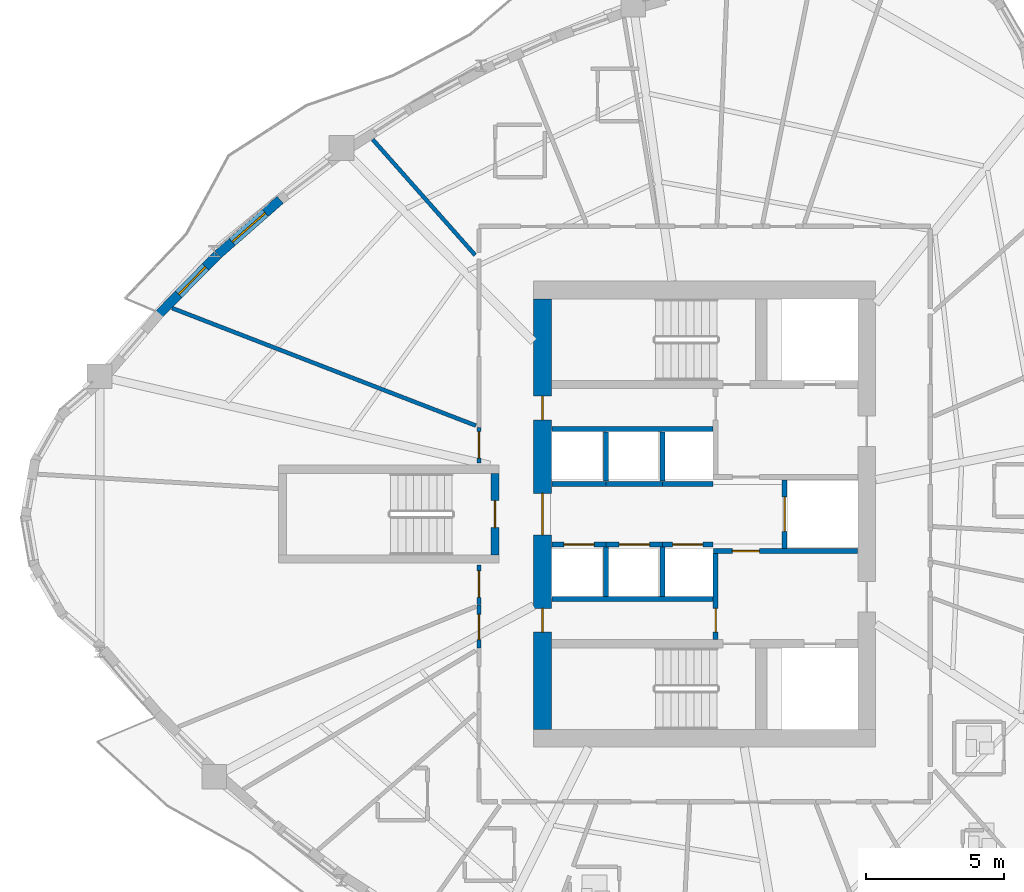
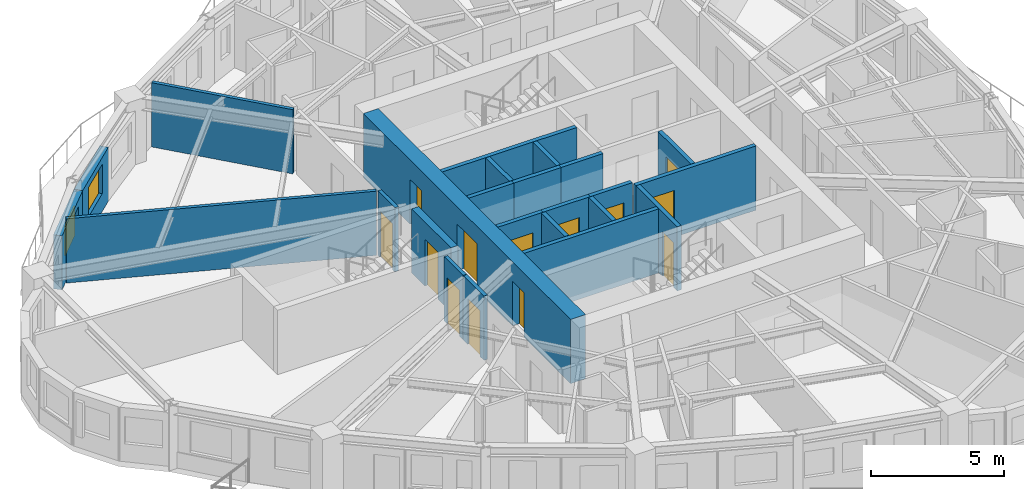
# One storey, part 5 of 13: 24 walls, 13 doors, 2 windows, 15 openings.
"""IFC4 building model written with IfcOpenShell, lengths in metres."""

import ifcopenshell
import ifcopenshell.guid

model = None  # the IFC model being written
_history = None  # IfcOwnerHistory: only IFC2X3 demands one
_inside = {}  # id of a spatial element -> (the spatial element, [elements in it])
_under = {}  # id of a project, library or spatial element -> (it, [spatial elements below it])
_declared = {}  # id of a project -> (the project, [libraries it declares])
_typed = {}  # id of a type object -> (the type object, [elements of that type])
_made_of = {}  # id of a material, layer set ... -> (it, [elements and type objects made of it])


def new_model(schema):
    """Start an empty IFC model of exactly this schema.

    Asked for "IFC4X3", IfcOpenShell would pick the latest addendum, in which some entities
    have other attributes; the version numbers below select the first issue.
    IFC2X3 requires an IfcOwnerHistory on every rooted entity: one is made here for all.
    """
    global model, _history
    if schema == "IFC4X3":
        model = ifcopenshell.file(schema_version=(4, 3, 0, 0))
    else:
        model = ifcopenshell.file(schema=schema)
    _inside.clear()
    _under.clear()
    _declared.clear()
    _typed.clear()
    _made_of.clear()
    _history = None
    if model.schema == "IFC2X3":
        org = make("IfcOrganization", Name="unknown")
        user = make(
            "IfcPersonAndOrganization",
            ThePerson=make("IfcPerson", FamilyName="unknown"),
            TheOrganization=org,
        )
        app = make(
            "IfcApplication",
            ApplicationDeveloper=org,
            Version="unknown",
            ApplicationFullName="unknown",
            ApplicationIdentifier="unknown",
        )
        _history = make(
            "IfcOwnerHistory",
            OwningUser=user,
            OwningApplication=app,
            ChangeAction="ADDED",
            CreationDate=0,
        )
    return model


def make(cls, **values):
    """One entity of the class cls with the attributes given. An attribute that is None is left unset."""
    return model.create_entity(
        cls, **{name: value for name, value in values.items() if value is not None}
    )


def rooted(cls, **values):
    """An entity with a GlobalId (a new one), such as an element, a storey or a relation."""
    return make(cls, GlobalId=ifcopenshell.guid.new(), OwnerHistory=_history, **values)


def si_unit(unit_type, name, prefix=None):
    """IfcSIUnit, for example si_unit("LENGTHUNIT", "METRE", prefix="MILLI")."""
    return make("IfcSIUnit", UnitType=unit_type, Prefix=prefix, Name=name)


def assignment(units):
    """IfcUnitAssignment: the units of a project."""
    return None if units is None else make("IfcUnitAssignment", Units=units)


def point(xyz):
    """IfcCartesianPoint."""
    return None if xyz is None else make("IfcCartesianPoint", Coordinates=xyz)


def direction(xyz):
    """IfcDirection."""
    return None if xyz is None else make("IfcDirection", DirectionRatios=xyz)


def frame(location, z_axis=None, x_axis=None):
    """IfcAxis2Placement3D, a coordinate frame: its origin and axes. An axis left out is left unset."""
    return make(
        "IfcAxis2Placement3D",
        Location=point(location),
        Axis=direction(z_axis),
        RefDirection=direction(x_axis),
    )


def frame_2d(location, x_axis=None):
    """IfcAxis2Placement2D, a coordinate frame in the plane: its origin and x axis."""
    return make(
        "IfcAxis2Placement2D", Location=point(location), RefDirection=direction(x_axis)
    )


def origin():
    """The frame at (0, 0, 0) with its axes left unset."""
    return frame((0.0, 0.0, 0.0))


def place(relative_to, where):
    """IfcLocalPlacement: puts the frame where relative to a parent placement (None: the world)."""
    return make(
        "IfcLocalPlacement", PlacementRelTo=relative_to, RelativePlacement=where
    )


def context(
    kind, dimensions, precision=None, world=None, true_north=None, identifier=None
):
    """IfcGeometricRepresentationContext, for example the 3D "Model" context."""
    return make(
        "IfcGeometricRepresentationContext",
        ContextIdentifier=identifier,
        ContextType=kind,
        CoordinateSpaceDimension=dimensions,
        Precision=precision,
        WorldCoordinateSystem=world,
        TrueNorth=true_north,
    )


def subcontext(parent, identifier, kind, view, scale=None):
    """IfcGeometricRepresentationSubContext, for example "Body" below "Model"."""
    return make(
        "IfcGeometricRepresentationSubContext",
        ContextIdentifier=identifier,
        ContextType=kind,
        ParentContext=parent,
        TargetScale=scale,
        TargetView=view,
    )


def project(units=None, contexts=None):
    """IfcProject with its units and contexts."""
    return rooted(
        "IfcProject",
        Name="project",
        RepresentationContexts=contexts,
        UnitsInContext=assignment(units),
    )


def spatial(cls, under=None, at=None, **own):
    """A site, building, storey or space (cls), placed at a placement, below another one or the project."""
    s = rooted(cls, ObjectPlacement=at, **own)
    if under is not None:
        _under.setdefault(under.id(), (under, []))[1].append(s)
    return s


def profile(cls, at=None, kind="AREA", **sizes):
    """A parametric profile (cls). Its sizes go by their IFC names, for example OverallWidth=200.0."""
    return make(cls, ProfileType=kind, Position=at, **sizes)


def rectangle(**sizes):
    """IfcRectangleProfileDef."""
    return profile("IfcRectangleProfileDef", **sizes)


def extrude(swept, where, along, depth):
    """IfcExtrudedAreaSolid: the profile swept, set in the frame where, extruded along a direction by depth."""
    return make(
        "IfcExtrudedAreaSolid",
        SweptArea=swept,
        Position=where,
        ExtrudedDirection=direction(along),
        Depth=depth,
    )


def shape(context_of_items, identifier, shape_type, items):
    """IfcShapeRepresentation: the items that make up one representation, for example the "Body"."""
    return make(
        "IfcShapeRepresentation",
        ContextOfItems=context_of_items,
        RepresentationIdentifier=identifier,
        RepresentationType=shape_type,
        Items=items,
    )


def source(mapping_origin, context_of_items, identifier, shape_type, items):
    """IfcRepresentationMap: a shape defined once, which mapped items show again and again."""
    return make(
        "IfcRepresentationMap",
        MappingOrigin=mapping_origin,
        MappedRepresentation=shape(context_of_items, identifier, shape_type, items),
    )


def transform(
    local_origin,
    x_axis=None,
    y_axis=None,
    z_axis=None,
    scale=None,
    scale2=None,
    scale3=None,
    uniform=True,
):
    """IfcCartesianTransformationOperator3D, or its non-uniform kind. x_axis, y_axis, z_axis: its Axis1, 2, 3."""
    if uniform:
        return make(
            "IfcCartesianTransformationOperator3D",
            Axis1=direction(x_axis),
            Axis2=direction(y_axis),
            LocalOrigin=point(local_origin),
            Scale=scale,
            Axis3=direction(z_axis),
        )
    return make(
        "IfcCartesianTransformationOperator3DnonUniform",
        Axis1=direction(x_axis),
        Axis2=direction(y_axis),
        LocalOrigin=point(local_origin),
        Scale=scale,
        Axis3=direction(z_axis),
        Scale2=scale2,
        Scale3=scale3,
    )


def mapped(mapping_source, mapping_target):
    """IfcMappedItem: shows the shape of a source again, moved by a transform."""
    return make(
        "IfcMappedItem", MappingSource=mapping_source, MappingTarget=mapping_target
    )


def material(Name=None, Category=None):
    """IfcMaterial."""
    return make("IfcMaterial", Name=Name, Category=Category)


def layer(
    of_material, thickness, ventilated=None, Name=None, Category=None, Priority=None
):
    """IfcMaterialLayer: one layer of a wall or slab, of a material (None: an air gap)."""
    return make(
        "IfcMaterialLayer",
        Material=of_material,
        LayerThickness=thickness,
        IsVentilated=ventilated,
        Name=Name,
        Category=Category,
        Priority=Priority,
    )


def layer_set(layers, Name=None):
    """IfcMaterialLayerSet."""
    return make("IfcMaterialLayerSet", MaterialLayers=layers, LayerSetName=Name)


def made_of(thing, what):
    """Note that an element or type object is made of a material, layer set ...; save() writes the relation."""
    if what is not None:
        _made_of.setdefault(what.id(), (what, []))[1].append(thing)
    return thing


def type_object(cls, material=None, **own):
    """A type object (cls), such as IfcWallType, which elements share."""
    return made_of(rooted(cls, **own), material)


def element(
    cls,
    number,
    at=None,
    inside=None,
    cuts=None,
    type_object=None,
    material=None,
    context=None,
    identifier="Body",
    shape_type=None,
    held_by="IfcProductDefinitionShape",
    body=None,
    shapes=None,
    **own,
):
    """One element of the class cls, such as IfcWall. Its Tag is "e" and its number.

    at: its placement. inside: the storey or other place that contains it. cuts: it is an
    opening in that element (IfcRelVoidsElement). A single representation is given by context,
    identifier, shape_type and body (its items); several are given by shapes. held_by: the class
    of the entity that holds the representations. save() writes the other relations.
    """
    e = rooted(cls, Tag="e%d" % number, ObjectPlacement=at, **own)
    if body is not None:
        shapes = [shape(context, identifier, shape_type, body)]
    if shapes is not None:
        e.Representation = make(held_by, Representations=shapes)
    if inside is not None:
        _inside.setdefault(inside.id(), (inside, []))[1].append(e)
    if cuts is not None:
        rooted(
            "IfcRelVoidsElement", RelatingBuildingElement=cuts, RelatedOpeningElement=e
        )
    if type_object is not None:
        _typed.setdefault(type_object.id(), (type_object, []))[1].append(e)
    return made_of(e, material)


def fill(opening, filler):
    """IfcRelFillsElement: the door or window that sits in an opening."""
    return rooted(
        "IfcRelFillsElement",
        RelatingOpeningElement=opening,
        RelatedBuildingElement=filler,
    )


def aggregate(whole, parts):
    """IfcRelAggregates: a whole, such as a stair, and the parts it consists of."""
    return rooted("IfcRelAggregates", RelatingObject=whole, RelatedObjects=parts)


def save(model, path):
    """Write the relations noted so far, then the file.

    IfcRelAggregates (storeys below a building ...), IfcRelContainedInSpatialStructure (elements
    in a storey), IfcRelDefinesByType, IfcRelAssociatesMaterial and IfcRelDeclares: one each for
    every whole, place, type object, material and project.
    """
    for whole, parts in _under.values():
        aggregate(whole, parts)
    for where, things in _inside.values():
        rooted(
            "IfcRelContainedInSpatialStructure",
            RelatedElements=things,
            RelatingStructure=where,
        )
    for kind, things in _typed.values():
        rooted("IfcRelDefinesByType", RelatedObjects=things, RelatingType=kind)
    for what, things in _made_of.values():
        rooted("IfcRelAssociatesMaterial", RelatedObjects=things, RelatingMaterial=what)
    for by, libraries in _declared.values():
        rooted("IfcRelDeclares", RelatingContext=by, RelatedDefinitions=libraries)
    model.write(path)


model = new_model("IFC4")

# Units and contexts
model_context = context("Model", 3, precision=1e-05, world=origin(), true_north=direction((0.0, 1.0)))
body_context = subcontext(model_context, "Body", "Model", "MODEL_VIEW")
ifc_project = project(units=[si_unit("LENGTHUNIT", "METRE"), si_unit("AREAUNIT", "SQUARE_METRE"), si_unit("VOLUMEUNIT", "CUBIC_METRE"), si_unit("PLANEANGLEUNIT", "RADIAN"), si_unit("MASSUNIT", "GRAM", prefix="KILO")], contexts=[model_context])

# Site, building, storey
site_placement = place(None, origin())
site = spatial("IfcSite", under=ifc_project, at=site_placement, CompositionType="ELEMENT")
building_placement = place(site_placement, origin())
building = spatial("IfcBuilding", under=site, at=building_placement, Name="Qafzar Sky-Pleat Residences", CompositionType="ELEMENT")
storey_placement = place(building_placement, frame((0.0, 0.0, 102.39990234375)))
storey = spatial("IfcBuildingStorey", under=building, at=storey_placement, Name="L30", CompositionType="ELEMENT", Elevation=102.39990234375)

# Wall, opening, door
ifc_material_1 = material(Name="Acoustic gypsum plasterboard partition", Category="gypsum")
ifc_layer_1 = layer(ifc_material_1, 0.159912109375)
ifc_layer_set_1 = layer_set([ifc_layer_1], Name="Acoustic gypsum plasterboard partition")
wall_type_1 = type_object("IfcWallType", Name="PART-COR-160", PredefinedType="PARTITIONING", material=ifc_layer_set_1)
wall_1_placement = place(storey_placement, frame((22.169921875, 21.156005859375, 0.0), z_axis=(0.0, 0.0, 1.0), x_axis=(0.0, 1.0, 0.0)))
wall_1 = element("IfcWall", 1, at=wall_1_placement, inside=storey, type_object=wall_type_1, Name="L30 Partition Wall PART-L30-PW-025", PredefinedType="PARTITIONING", context=body_context, shape_type="SweptSolid", body=[
    extrude(rectangle(XDim=1.554931640625, YDim=0.159912109375, at=frame_2d((0.77734375, 0.0))), origin(), (0.0, 0.0, 1.0), 2.9501953125),
])
opening_1_placement = place(wall_1_placement, frame((0.29345703125, 0.0, 0.0)))
opening_1 = element("IfcOpeningElement", 2, at=opening_1_placement, cuts=wall_1, Name="Opening ID-04", PredefinedType="OPENING", context=body_context, shape_type="SweptSolid", body=[
    extrude(rectangle(XDim=0.919921875, YDim=2.10009765625, at=frame_2d((0.4599609375, 1.050048828125))), frame((0.0, 0.08984375, 0.0), z_axis=(0.0, -1.0, 0.0), x_axis=(1.0, 0.0, 0.0)), (0.0, 0.0, 1.0), 0.179931640625),
])
ifc_material_2 = material(Name="Timber-faced fire door", Category="wood")
door_type_1 = type_object("IfcDoorType", Name="DR-BED-920", OperationType="NOTDEFINED", PredefinedType="DOOR", material=ifc_material_2)
shared_shape_1 = source(origin(), body_context, "Body", "SweptSolid", [
    extrude(rectangle(XDim=0.919921875, YDim=2.10009765625, at=frame_2d((0.4599609375, 1.050048828125))), frame((0.0, 0.02490234375, 0.0), z_axis=(0.0, -1.0, 0.0), x_axis=(1.0, 0.0, 0.0)), (0.0, 0.0, 1.0), 0.050048828125),
])
door_1_placement = place(opening_1_placement, origin())
door_1 = element("IfcDoor", 3, at=door_1_placement, inside=storey, type_object=door_type_1, Name="L30 Co-Living Bedroom 11 Door", OperationType="SINGLE_SWING_LEFT", OverallHeight=2.10009765625, OverallWidth=0.919921875, PredefinedType="DOOR", context=body_context, shape_type="MappedRepresentation", body=[
    mapped(shared_shape_1, transform((0.0, 0.0, 0.0), x_axis=(1.0, 0.0, 0.0), y_axis=(0.0, 1.0, 0.0), z_axis=(0.0, 0.0, 1.0), scale=1.0)),
])
fill(opening_1, door_1)

wall_2_placement = place(storey_placement, frame((22.169921875, 22.72607421875, 0.0), z_axis=(0.0, 0.0, 1.0), x_axis=(0.0, 1.0, 0.0)))
wall_2 = element("IfcWall", 4, at=wall_2_placement, inside=storey, type_object=wall_type_1, Name="L30 Partition Wall PART-L30-PW-026", PredefinedType="PARTITIONING", context=body_context, shape_type="SweptSolid", body=[
    extrude(rectangle(XDim=1.423828125, YDim=0.159912109375, at=frame_2d((0.7119140625, 0.0))), origin(), (0.0, 0.0, 1.0), 2.9501953125),
])
opening_2_placement = place(wall_2_placement, frame((0.25390625, 0.0, 0.0)))
opening_2 = element("IfcOpeningElement", 5, at=opening_2_placement, cuts=wall_2, Name="Opening ID-06", PredefinedType="OPENING", context=body_context, shape_type="SweptSolid", body=[
    extrude(rectangle(XDim=0.9599609375, YDim=2.10009765625, at=frame_2d((0.47998046875, 1.050048828125))), frame((0.0, 0.08984375, 0.0), z_axis=(0.0, -1.0, 0.0), x_axis=(1.0, 0.0, 0.0)), (0.0, 0.0, 1.0), 0.179931640625),
])
door_type_2 = type_object("IfcDoorType", Name="DR-STD-960", OperationType="NOTDEFINED", PredefinedType="DOOR", material=ifc_material_2)
shared_shape_2 = source(origin(), body_context, "Body", "SweptSolid", [
    extrude(rectangle(XDim=0.9599609375, YDim=2.10009765625, at=frame_2d((0.47998046875, 1.050048828125))), frame((0.0, 0.02490234375, 0.0), z_axis=(0.0, -1.0, 0.0), x_axis=(1.0, 0.0, 0.0)), (0.0, 0.0, 1.0), 0.050048828125),
])
door_2_placement = place(opening_2_placement, origin())
door_2 = element("IfcDoor", 6, at=door_2_placement, inside=storey, type_object=door_type_2, Name="L30 Reading Library Door", OperationType="SINGLE_SWING_RIGHT", OverallHeight=2.10009765625, OverallWidth=0.9599609375, PredefinedType="DOOR", context=body_context, shape_type="MappedRepresentation", body=[
    mapped(shared_shape_2, transform((0.0, 0.0, 0.0), x_axis=(1.0, 0.0, 0.0), y_axis=(0.0, 1.0, 0.0), z_axis=(0.0, 0.0, 1.0), scale=1.0)),
])
fill(opening_2, door_2)

wall_3_placement = place(storey_placement, frame((22.169921875, 27.85009765625, 0.0), z_axis=(0.0, 0.0, 1.0), x_axis=(0.0, 1.0, 0.0)))
wall_3 = element("IfcWall", 7, at=wall_3_placement, inside=storey, type_object=wall_type_1, Name="L30 Partition Wall PART-L30-PW-028", PredefinedType="PARTITIONING", context=body_context, shape_type="SweptSolid", body=[
    extrude(rectangle(XDim=1.282958984375, YDim=0.159912109375, at=frame_2d((0.6416015625, 0.0))), origin(), (0.0, 0.0, 1.0), 2.9501953125),
])
opening_3_placement = place(wall_3_placement, frame((0.177490234375, 0.0, 0.0)))
opening_3 = element("IfcOpeningElement", 8, at=opening_3_placement, cuts=wall_3, Name="Opening ID-06", PredefinedType="OPENING", context=body_context, shape_type="SweptSolid", body=[
    extrude(rectangle(XDim=0.9599609375, YDim=2.10009765625, at=frame_2d((0.47998046875, 1.050048828125))), frame((0.0, 0.08984375, 0.0), z_axis=(0.0, -1.0, 0.0), x_axis=(1.0, 0.0, 0.0)), (0.0, 0.0, 1.0), 0.179931640625),
])
door_3_placement = place(opening_3_placement, origin())
door_3 = element("IfcDoor", 9, at=door_3_placement, inside=storey, type_object=door_type_2, Name="L30 Common Dining Room Door", OperationType="SINGLE_SWING_RIGHT", OverallHeight=2.10009765625, OverallWidth=0.9599609375, PredefinedType="DOOR", context=body_context, shape_type="MappedRepresentation", body=[
    mapped(shared_shape_2, transform((0.0, 0.0, 0.0), x_axis=(1.0, 0.0, 0.0), y_axis=(0.0, 1.0, 0.0), z_axis=(0.0, 0.0, 1.0), scale=1.0)),
])
fill(opening_3, door_3)

ifc_material_3 = material(Name="Concrete blockwork partition", Category="masonry")
ifc_layer_2 = layer(ifc_material_3, 0.179931640625)
ifc_layer_set_2 = layer_set([ifc_layer_2], Name="Concrete blockwork partition")
wall_type_2 = type_object("IfcWallType", Name="PART-SHAFT-180", PredefinedType="PARTITIONING", material=ifc_layer_set_2)
wall_4_placement = place(storey_placement, frame((30.75, 21.4599609375, 0.0), z_axis=(0.0, 0.0, 1.0), x_axis=(0.0, 1.0, 0.0)))
wall_4 = element("IfcWall", 10, at=wall_4_placement, inside=storey, type_object=wall_type_2, Name="L30 Partition Wall PART-L30-FFL1-W", PredefinedType="PARTITIONING", context=body_context, shape_type="SweptSolid", body=[
    extrude(rectangle(XDim=3.110107421875, YDim=0.179931640625, at=frame_2d((1.55517578125, 0.0))), origin(), (0.0, 0.0, 1.0), 2.9501953125),
])
opening_4_placement = place(wall_4_placement, frame((0.260009765625, 0.0, 0.0)))
opening_4 = element("IfcOpeningElement", 11, at=opening_4_placement, cuts=wall_4, Name="Opening ID-09", PredefinedType="OPENING", context=body_context, shape_type="SweptSolid", body=[
    extrude(rectangle(XDim=0.860107421875, YDim=2.050048828125, at=frame_2d((0.43017578125, 1.02490234375))), frame((0.0, 0.10009765625, 0.0), z_axis=(0.0, -1.0, 0.0), x_axis=(1.0, 0.0, 0.0)), (0.0, 0.0, 1.0), 0.199951171875),
])
door_type_3 = type_object("IfcDoorType", Name="DR-SVC-860", OperationType="NOTDEFINED", PredefinedType="DOOR", material=ifc_material_2)
shared_shape_3 = source(origin(), body_context, "Body", "SweptSolid", [
    extrude(rectangle(XDim=0.860107421875, YDim=2.050048828125, at=frame_2d((0.43017578125, 1.02490234375))), frame((0.0, 0.02490234375, 0.0), z_axis=(0.0, -1.0, 0.0), x_axis=(1.0, 0.0, 0.0)), (0.0, 0.0, 1.0), 0.050048828125),
])
door_4_placement = place(opening_4_placement, origin())
door_4 = element("IfcDoor", 12, at=door_4_placement, inside=storey, type_object=door_type_3, Name="L30 South Core Cupboard Door", OperationType="SINGLE_SWING_LEFT", OverallHeight=2.050048828125, OverallWidth=0.860107421875, PredefinedType="DOOR", context=body_context, shape_type="MappedRepresentation", body=[
    mapped(shared_shape_3, transform((0.0, 0.0, 0.0), x_axis=(1.0, 0.0, 0.0), y_axis=(0.0, 1.0, 0.0), z_axis=(0.0, 0.0, 1.0), scale=1.0)),
])
fill(opening_4, door_4)

wall_5_placement = place(storey_placement, frame((30.669921875, 24.659912109375, 0.0), z_axis=(0.0, 0.0, 1.0), x_axis=(1.0, 0.0, 0.0)))
wall_5 = element("IfcWall", 13, at=wall_5_placement, inside=storey, type_object=wall_type_2, Name="L30 Partition Wall PART-L30-FFL1-N", PredefinedType="PARTITIONING", context=body_context, shape_type="SweptSolid", body=[
    extrude(rectangle(XDim=5.219970703125, YDim=0.179931640625, at=frame_2d((2.60986328125, 0.0))), origin(), (0.0, 0.0, 1.0), 2.9501953125),
])
opening_5_placement = place(wall_5_placement, frame((0.679931640625, 0.0, 0.0)))
opening_5 = element("IfcOpeningElement", 14, at=opening_5_placement, cuts=wall_5, Name="Opening ID-01", PredefinedType="OPENING", context=body_context, shape_type="SweptSolid", body=[
    extrude(rectangle(XDim=0.97998046875, YDim=2.14990234375, at=frame_2d((0.489990234375, 1.074951171875))), frame((0.0, 0.10009765625, 0.0), z_axis=(0.0, -1.0, 0.0), x_axis=(1.0, 0.0, 0.0)), (0.0, 0.0, 1.0), 0.199951171875),
])
door_type_4 = type_object("IfcDoorType", Name="DR-STAIR-980", OperationType="NOTDEFINED", PredefinedType="DOOR", material=ifc_material_2)
shared_shape_4 = source(origin(), body_context, "Body", "SweptSolid", [
    extrude(rectangle(XDim=0.97998046875, YDim=2.14990234375, at=frame_2d((0.489990234375, 1.074951171875))), frame((0.0, 0.02490234375, 0.0), z_axis=(0.0, -1.0, 0.0), x_axis=(1.0, 0.0, 0.0)), (0.0, 0.0, 1.0), 0.050048828125),
])
door_5_placement = place(opening_5_placement, origin())
door_5 = element("IfcDoor", 15, at=door_5_placement, inside=storey, type_object=door_type_4, Name="L30 Lift Lobby to South Firefighting Lobby Door", OperationType="SINGLE_SWING_RIGHT", OverallHeight=2.14990234375, OverallWidth=0.97998046875, PredefinedType="DOOR", context=body_context, shape_type="MappedRepresentation", body=[
    mapped(shared_shape_4, transform((0.0, 0.0, 0.0), x_axis=(1.0, 0.0, 0.0), y_axis=(0.0, 1.0, 0.0), z_axis=(0.0, 0.0, 1.0), scale=1.0)),
])
fill(opening_5, door_5)

wall_6_placement = place(storey_placement, frame((33.25, 24.760009765625, 0.0), z_axis=(0.0, 0.0, 1.0), x_axis=(0.0, 1.0, 0.0)))
wall_6 = element("IfcWall", 16, at=wall_6_placement, inside=storey, type_object=wall_type_2, Name="L30 Partition Wall PART-L30-SV1-W", PredefinedType="PARTITIONING", context=body_context, shape_type="SweptSolid", body=[
    extrude(rectangle(XDim=2.47998046875, YDim=0.179931640625, at=frame_2d((1.239990234375, 0.0))), origin(), (0.0, 0.0, 1.0), 2.9501953125),
])
opening_6_placement = place(wall_6_placement, frame((0.614990234375, 0.0, 0.0)))
opening_6 = element("IfcOpeningElement", 17, at=opening_6_placement, cuts=wall_6, Name="Opening LD-03", PredefinedType="OPENING", context=body_context, shape_type="SweptSolid", body=[
    extrude(rectangle(XDim=1.25, YDim=2.14990234375, at=frame_2d((0.625, 1.074951171875))), frame((0.0, 0.10009765625, 0.0), z_axis=(0.0, -1.0, 0.0), x_axis=(1.0, 0.0, 0.0)), (0.0, 0.0, 1.0), 0.199951171875),
])
ifc_material_4 = material(Name="Stainless steel sliding landing door", Category="steel")
door_type_5 = type_object("IfcDoorType", Name="DR-LIFT-SV", OperationType="DOUBLE_DOOR_SLIDING", PredefinedType="DOOR", material=ifc_material_4)
shared_shape_5 = source(origin(), body_context, "Body", "SweptSolid", [
    extrude(rectangle(XDim=1.25, YDim=2.14990234375, at=frame_2d((0.625, 1.074951171875))), frame((0.0, 0.02490234375, 0.0), z_axis=(0.0, -1.0, 0.0), x_axis=(1.0, 0.0, 0.0)), (0.0, 0.0, 1.0), 0.050048828125),
])
door_6_placement = place(opening_6_placement, origin())
door_6 = element("IfcDoor", 18, at=door_6_placement, inside=storey, type_object=door_type_5, Name="L30 Service Lift SV1 Landing Door", OperationType="DOUBLE_DOOR_SLIDING", OverallHeight=2.14990234375, OverallWidth=1.25, PredefinedType="DOOR", context=body_context, shape_type="MappedRepresentation", body=[
    mapped(shared_shape_5, transform((0.0, 0.0, 0.0), x_axis=(1.0, 0.0, 0.0), y_axis=(0.0, 1.0, 0.0), z_axis=(0.0, 0.0, 1.0), scale=1.0)),
])
fill(opening_6, door_6)

# Wall
wall_7_placement = place(storey_placement, frame((24.81005859375, 22.919921875, 0.0), z_axis=(0.0, 0.0, 1.0), x_axis=(1.0, 0.0, 0.0)))
element("IfcWall", 19, at=wall_7_placement, inside=storey, type_object=wall_type_2, Name="L30 Partition Wall PART-L30-P13-S", PredefinedType="PARTITIONING", context=body_context, shape_type="SweptSolid", body=[
    extrude(rectangle(XDim=5.83984375, YDim=0.179931640625, at=frame_2d((2.919921875, 0.0))), origin(), (0.0, 0.0, 1.0), 2.9501953125),
])

# Wall, opening, door
wall_8_placement = place(storey_placement, frame((24.81005859375, 24.89990234375, 0.0), z_axis=(0.0, 0.0, 1.0), x_axis=(1.0, 0.0, 0.0)))
wall_8 = element("IfcWall", 20, at=wall_8_placement, inside=storey, type_object=wall_type_2, Name="L30 Partition Wall PART-L30-P1-N", PredefinedType="PARTITIONING", context=body_context, shape_type="SweptSolid", body=[
    extrude(rectangle(XDim=1.96484375, YDim=0.179931640625, at=frame_2d((0.982421875, 0.0))), origin(), (0.0, 0.0, 1.0), 2.9501953125),
])
opening_7_placement = place(wall_8_placement, frame((0.4326171875, 0.0, 0.0)))
opening_7 = element("IfcOpeningElement", 21, at=opening_7_placement, cuts=wall_8, Name="Opening LD-01", PredefinedType="OPENING", context=body_context, shape_type="SweptSolid", body=[
    extrude(rectangle(XDim=1.10009765625, YDim=2.14990234375, at=frame_2d((0.550048828125, 1.074951171875))), frame((0.0, 0.10009765625, 0.0), z_axis=(0.0, -1.0, 0.0), x_axis=(1.0, 0.0, 0.0)), (0.0, 0.0, 1.0), 0.199951171875),
])
door_type_6 = type_object("IfcDoorType", Name="DR-LIFT-P", OperationType="DOUBLE_DOOR_SLIDING", PredefinedType="DOOR", material=ifc_material_4)
shared_shape_6 = source(origin(), body_context, "Body", "SweptSolid", [
    extrude(rectangle(XDim=1.10009765625, YDim=2.14990234375, at=frame_2d((0.550048828125, 1.074951171875))), frame((0.0, 0.02490234375, 0.0), z_axis=(0.0, -1.0, 0.0), x_axis=(1.0, 0.0, 0.0)), (0.0, 0.0, 1.0), 0.050048828125),
])
door_7_placement = place(opening_7_placement, origin())
door_7 = element("IfcDoor", 22, at=door_7_placement, inside=storey, type_object=door_type_6, Name="L30 Passenger Lift P1 Landing Door", OperationType="DOUBLE_DOOR_SLIDING", OverallHeight=2.14990234375, OverallWidth=1.10009765625, PredefinedType="DOOR", context=body_context, shape_type="MappedRepresentation", body=[
    mapped(shared_shape_6, transform((0.0, 0.0, 0.0), x_axis=(1.0, 0.0, 0.0), y_axis=(0.0, 1.0, 0.0), z_axis=(0.0, 0.0, 1.0), scale=1.0)),
])
fill(opening_7, door_7)

wall_9_placement = place(storey_placement, frame((26.77490234375, 24.89990234375, 0.0), z_axis=(0.0, 0.0, 1.0), x_axis=(1.0, 0.0, 0.0)))
wall_9 = element("IfcWall", 23, at=wall_9_placement, inside=storey, type_object=wall_type_2, Name="L30 Partition Wall PART-L30-P2-N", PredefinedType="PARTITIONING", context=body_context, shape_type="SweptSolid", body=[
    extrude(rectangle(XDim=2.050048828125, YDim=0.179931640625, at=frame_2d((1.02490234375, 0.0))), origin(), (0.0, 0.0, 1.0), 2.9501953125),
])
opening_8_placement = place(wall_9_placement, frame((0.47509765625, 0.0, 0.0)))
opening_8 = element("IfcOpeningElement", 24, at=opening_8_placement, cuts=wall_9, Name="Opening LD-01", PredefinedType="OPENING", context=body_context, shape_type="SweptSolid", body=[
    extrude(rectangle(XDim=1.10009765625, YDim=2.14990234375, at=frame_2d((0.550048828125, 1.074951171875))), frame((0.0, 0.10009765625, 0.0), z_axis=(0.0, -1.0, 0.0), x_axis=(1.0, 0.0, 0.0)), (0.0, 0.0, 1.0), 0.199951171875),
])
door_8_placement = place(opening_8_placement, origin())
door_8 = element("IfcDoor", 25, at=door_8_placement, inside=storey, type_object=door_type_6, Name="L30 Passenger Lift P2 Landing Door", OperationType="DOUBLE_DOOR_SLIDING", OverallHeight=2.14990234375, OverallWidth=1.10009765625, PredefinedType="DOOR", context=body_context, shape_type="MappedRepresentation", body=[
    mapped(shared_shape_6, transform((0.0, 0.0, 0.0), x_axis=(1.0, 0.0, 0.0), y_axis=(0.0, 1.0, 0.0), z_axis=(0.0, 0.0, 1.0), scale=1.0)),
])
fill(opening_8, door_8)

# Wall
wall_10_placement = place(storey_placement, frame((26.77490234375, 23.02001953125, 0.0), z_axis=(0.0, 0.0, 1.0), x_axis=(0.0, 1.0, 0.0)))
element("IfcWall", 26, at=wall_10_placement, inside=storey, type_object=wall_type_2, Name="L30 Partition Wall PART-L30-P13-DIV-1", PredefinedType="PARTITIONING", context=body_context, shape_type="SweptSolid", body=[
    extrude(rectangle(XDim=1.780029296875, YDim=0.179931640625, at=frame_2d((0.89013671875, 0.0))), origin(), (0.0, 0.0, 1.0), 2.9501953125),
])

# Wall, opening, door
wall_11_placement = place(storey_placement, frame((28.824951171875, 24.89990234375, 0.0), z_axis=(0.0, 0.0, 1.0), x_axis=(1.0, 0.0, 0.0)))
wall_11 = element("IfcWall", 27, at=wall_11_placement, inside=storey, type_object=wall_type_2, Name="L30 Partition Wall PART-L30-P3-N", PredefinedType="PARTITIONING", context=body_context, shape_type="SweptSolid", body=[
    extrude(rectangle(XDim=1.824951171875, YDim=0.179931640625, at=frame_2d((0.91259765625, 0.0))), origin(), (0.0, 0.0, 1.0), 2.9501953125),
])
opening_9_placement = place(wall_11_placement, frame((0.362548828125, 0.0, 0.0)))
opening_9 = element("IfcOpeningElement", 28, at=opening_9_placement, cuts=wall_11, Name="Opening LD-01", PredefinedType="OPENING", context=body_context, shape_type="SweptSolid", body=[
    extrude(rectangle(XDim=1.10009765625, YDim=2.14990234375, at=frame_2d((0.550048828125, 1.074951171875))), frame((0.0, 0.10009765625, 0.0), z_axis=(0.0, -1.0, 0.0), x_axis=(1.0, 0.0, 0.0)), (0.0, 0.0, 1.0), 0.199951171875),
])
door_9_placement = place(opening_9_placement, origin())
door_9 = element("IfcDoor", 29, at=door_9_placement, inside=storey, type_object=door_type_6, Name="L30 Passenger Lift P3 Landing Door", OperationType="DOUBLE_DOOR_SLIDING", OverallHeight=2.14990234375, OverallWidth=1.10009765625, PredefinedType="DOOR", context=body_context, shape_type="MappedRepresentation", body=[
    mapped(shared_shape_6, transform((0.0, 0.0, 0.0), x_axis=(1.0, 0.0, 0.0), y_axis=(0.0, 1.0, 0.0), z_axis=(0.0, 0.0, 1.0), scale=1.0)),
])
fill(opening_9, door_9)

# Walls
wall_12_placement = place(storey_placement, frame((28.824951171875, 23.02001953125, 0.0), z_axis=(0.0, 0.0, 1.0), x_axis=(0.0, 1.0, 0.0)))
element("IfcWall", 30, at=wall_12_placement, inside=storey, type_object=wall_type_2, Name="L30 Partition Wall PART-L30-P13-DIV-2", PredefinedType="PARTITIONING", context=body_context, shape_type="SweptSolid", body=[
    extrude(rectangle(XDim=1.780029296875, YDim=0.179931640625, at=frame_2d((0.89013671875, 0.0))), origin(), (0.0, 0.0, 1.0), 2.9501953125),
])
wall_13_placement = place(storey_placement, frame((24.81005859375, 29.080078125, 0.0), z_axis=(0.0, 0.0, 1.0), x_axis=(1.0, 0.0, 0.0)))
element("IfcWall", 31, at=wall_13_placement, inside=storey, type_object=wall_type_2, Name="L30 Partition Wall PART-L30-P46-N", PredefinedType="PARTITIONING", context=body_context, shape_type="SweptSolid", body=[
    extrude(rectangle(XDim=5.83984375, YDim=0.179931640625, at=frame_2d((2.919921875, 0.0))), origin(), (0.0, 0.0, 1.0), 2.9501953125),
])
wall_14_placement = place(storey_placement, frame((24.81005859375, 27.10009765625, 0.0), z_axis=(0.0, 0.0, 1.0), x_axis=(1.0, 0.0, 0.0)))
element("IfcWall", 32, at=wall_14_placement, inside=storey, type_object=wall_type_2, Name="L30 Partition Wall PART-L30-P4-S", PredefinedType="PARTITIONING", context=body_context, shape_type="SweptSolid", body=[
    extrude(rectangle(XDim=1.96484375, YDim=0.179931640625, at=frame_2d((0.982421875, 0.0))), origin(), (0.0, 0.0, 1.0), 2.9501953125),
])
wall_15_placement = place(storey_placement, frame((26.77490234375, 27.10009765625, 0.0), z_axis=(0.0, 0.0, 1.0), x_axis=(1.0, 0.0, 0.0)))
element("IfcWall", 33, at=wall_15_placement, inside=storey, type_object=wall_type_2, Name="L30 Partition Wall PART-L30-P5-S", PredefinedType="PARTITIONING", context=body_context, shape_type="SweptSolid", body=[
    extrude(rectangle(XDim=2.050048828125, YDim=0.179931640625, at=frame_2d((1.02490234375, 0.0))), origin(), (0.0, 0.0, 1.0), 2.9501953125),
])
wall_16_placement = place(storey_placement, frame((26.77490234375, 27.199951171875, 0.0), z_axis=(0.0, 0.0, 1.0), x_axis=(0.0, 1.0, 0.0)))
element("IfcWall", 34, at=wall_16_placement, inside=storey, type_object=wall_type_2, Name="L30 Partition Wall PART-L30-P46-DIV-1", PredefinedType="PARTITIONING", context=body_context, shape_type="SweptSolid", body=[
    extrude(rectangle(XDim=1.780029296875, YDim=0.179931640625, at=frame_2d((0.89013671875, 0.0))), origin(), (0.0, 0.0, 1.0), 2.9501953125),
])
wall_17_placement = place(storey_placement, frame((28.824951171875, 27.10009765625, 0.0), z_axis=(0.0, 0.0, 1.0), x_axis=(1.0, 0.0, 0.0)))
element("IfcWall", 35, at=wall_17_placement, inside=storey, type_object=wall_type_2, Name="L30 Partition Wall PART-L30-P6-S", PredefinedType="PARTITIONING", context=body_context, shape_type="SweptSolid", body=[
    extrude(rectangle(XDim=1.824951171875, YDim=0.179931640625, at=frame_2d((0.91259765625, 0.0))), origin(), (0.0, 0.0, 1.0), 2.9501953125),
])
wall_18_placement = place(storey_placement, frame((28.824951171875, 27.199951171875, 0.0), z_axis=(0.0, 0.0, 1.0), x_axis=(0.0, 1.0, 0.0)))
element("IfcWall", 36, at=wall_18_placement, inside=storey, type_object=wall_type_2, Name="L30 Partition Wall PART-L30-P46-DIV-2", PredefinedType="PARTITIONING", context=body_context, shape_type="SweptSolid", body=[
    extrude(rectangle(XDim=1.780029296875, YDim=0.179931640625, at=frame_2d((0.89013671875, 0.0))), origin(), (0.0, 0.0, 1.0), 2.9501953125),
])
ifc_layer_3 = layer(ifc_material_1, 0.14501953125)
ifc_layer_set_3 = layer_set([ifc_layer_3], Name="Acoustic gypsum plasterboard partition")
wall_type_3 = type_object("IfcWallType", Name="PART-UNIT-145", PredefinedType="PARTITIONING", material=ifc_layer_set_3)
wall_19_placement = place(storey_placement, frame((11.044921875, 33.467529296875, 0.0), z_axis=(0.0, 0.0, 1.0), x_axis=(0.932653180854, -0.360774228906, 0.0)))
element("IfcWall", 37, at=wall_19_placement, inside=storey, type_object=wall_type_3, Name="L30 Partition Wall PART-L30-PW-031", PredefinedType="PARTITIONING", context=body_context, shape_type="SweptSolid", body=[
    extrude(rectangle(XDim=11.806640625, YDim=0.14501953125, at=frame_2d((5.9033203125, 0.0))), origin(), (0.0, 0.0, 1.0), 2.9501953125),
])
wall_20_placement = place(storey_placement, frame((18.319580078125, 39.576904296875, 0.0), z_axis=(0.0, 0.0, 1.0), x_axis=(0.663149796684, -0.748486704731, 0.0)))
element("IfcWall", 38, at=wall_20_placement, inside=storey, type_object=wall_type_3, Name="L30 Partition Wall PART-L30-PW-047", PredefinedType="PARTITIONING", context=body_context, shape_type="SweptSolid", body=[
    extrude(rectangle(XDim=5.595947265625, YDim=0.14501953125, at=frame_2d((2.7978515625, 0.0))), origin(), (0.0, 0.0, 1.0), 2.9501953125),
])

# Wall, opening, window
ifc_material_5 = material(Name="Precast concrete C40/50 with honed Riyadh limestone", Category="concrete")
ifc_layer_4 = layer(ifc_material_5, 0.340087890625)
ifc_layer_set_4 = layer_set([ifc_layer_4], Name="Precast concrete C40/50 with honed Riyadh limestone")
wall_type_4 = type_object("IfcWallType", Name="WALL-EXT-340", PredefinedType="SOLIDWALL", material=ifc_layer_set_4)
wall_21_placement = place(storey_placement, frame((14.962890625, 37.390380859375, 0.0), z_axis=(0.0, 0.0, 1.0), x_axis=(-0.751504986612, -0.659727409691, 0.0)))
wall_21 = element("IfcWall", 39, at=wall_21_placement, inside=storey, type_object=wall_type_4, Name="L30 Limestone Facade Wall 46", PredefinedType="SOLIDWALL", context=body_context, shape_type="SweptSolid", body=[
    extrude(rectangle(XDim=3.008544921875, YDim=0.340087890625, at=frame_2d((1.50439453125, 0.0))), origin(), (0.0, 0.0, 1.0), 2.47998046875),
])
opening_10_placement = place(wall_21_placement, frame((0.71435546875, 0.0, 0.820068359375)))
opening_10 = element("IfcOpeningElement", 40, at=opening_10_placement, cuts=wall_21, Name="Opening WN-09", PredefinedType="OPENING", context=body_context, shape_type="SweptSolid", body=[
    extrude(rectangle(XDim=1.60009765625, YDim=1.35009765625, at=frame_2d((0.800048828125, 0.675048828125))), frame((0.0, 0.18017578125, 0.0), z_axis=(0.0, -1.0, 0.0), x_axis=(1.0, 0.0, 0.0)), (0.0, 0.0, 1.0), 0.360107421875),
])
ifc_material_6 = material(Name="Solar-control low-E glass in bronze aluminium frame", Category="glass")
window_type_1 = type_object("IfcWindowType", Name="WIN-09", PartitioningType="DOUBLE_PANEL_VERTICAL", PredefinedType="WINDOW", material=ifc_material_6)
shared_shape_7 = source(origin(), body_context, "Body", "SweptSolid", [
    extrude(rectangle(XDim=1.60009765625, YDim=1.35009765625, at=frame_2d((0.800048828125, 0.675048828125))), frame((0.0, 0.030029296875, 0.0), z_axis=(0.0, -1.0, 0.0), x_axis=(1.0, 0.0, 0.0)), (0.0, 0.0, 1.0), 0.06005859375),
])
window_1_placement = place(opening_10_placement, origin())
window_1 = element("IfcWindow", 41, at=window_1_placement, inside=storey, type_object=window_type_1, Name="L30 Punched Facade Window 46", OverallHeight=1.35009765625, OverallWidth=1.60009765625, PartitioningType="SINGLE_PANEL", PredefinedType="WINDOW", context=body_context, shape_type="MappedRepresentation", body=[
    mapped(shared_shape_7, transform((0.0, 0.0, 0.0), x_axis=(1.0, 0.0, 0.0), y_axis=(0.0, 1.0, 0.0), z_axis=(0.0, 0.0, 1.0), scale=1.0)),
])
fill(opening_10, window_1)

wall_22_placement = place(storey_placement, frame((12.681640625, 35.386474609375, 0.0), z_axis=(0.0, 0.0, 1.0), x_axis=(-0.701899134886, -0.712276353985, 0.0)))
wall_22 = element("IfcWall", 42, at=wall_22_placement, inside=storey, type_object=wall_type_4, Name="L30 Limestone Facade Wall 47", PredefinedType="SOLIDWALL", context=body_context, shape_type="SweptSolid", body=[
    extrude(rectangle(XDim=3.058349609375, YDim=0.340087890625, at=frame_2d((1.529296875, 0.0))), origin(), (0.0, 0.0, 1.0), 2.47998046875),
])
opening_11_placement = place(wall_22_placement, frame((0.592529296875, 0.0, 0.820068359375)))
opening_11 = element("IfcOpeningElement", 43, at=opening_11_placement, cuts=wall_22, Name="Opening WN-10", PredefinedType="OPENING", context=body_context, shape_type="SweptSolid", body=[
    extrude(rectangle(XDim=1.39990234375, YDim=1.35009765625, at=frame_2d((0.699951171875, 0.675048828125))), frame((0.0, 0.18017578125, 0.0), z_axis=(0.0, -1.0, 0.0), x_axis=(1.0, 0.0, 0.0)), (0.0, 0.0, 1.0), 0.360107421875),
])
window_type_2 = type_object("IfcWindowType", Name="WIN-10", PartitioningType="SINGLE_PANEL", PredefinedType="WINDOW", material=ifc_material_6)
shared_shape_8 = source(origin(), body_context, "Body", "SweptSolid", [
    extrude(rectangle(XDim=1.39990234375, YDim=1.35009765625, at=frame_2d((0.699951171875, 0.675048828125))), frame((0.0, 0.030029296875, 0.0), z_axis=(0.0, -1.0, 0.0), x_axis=(1.0, 0.0, 0.0)), (0.0, 0.0, 1.0), 0.06005859375),
])
window_2_placement = place(opening_11_placement, origin())
window_2 = element("IfcWindow", 44, at=window_2_placement, inside=storey, type_object=window_type_2, Name="L30 Punched Facade Window 47", OverallHeight=1.35009765625, OverallWidth=1.39990234375, PartitioningType="SINGLE_PANEL", PredefinedType="WINDOW", context=body_context, shape_type="MappedRepresentation", body=[
    mapped(shared_shape_8, transform((0.0, 0.0, 0.0), x_axis=(1.0, 0.0, 0.0), y_axis=(0.0, 1.0, 0.0), z_axis=(0.0, 0.0, 1.0), scale=1.0)),
])
fill(opening_11, window_2)

# Wall, opening, door
ifc_material_7 = material(Name="Concrete C60/75", Category="concrete")
ifc_layer_5 = layer(ifc_material_7, 0.300048828125)
ifc_layer_set_5 = layer_set([ifc_layer_5], Name="Concrete C60/75")
wall_type_5 = type_object("IfcWallType", Name="WALL-SHEAR-300", PredefinedType="SHEAR", material=ifc_layer_set_5)
wall_23_placement = place(storey_placement, frame((22.75, 24.52490234375, 0.0), z_axis=(0.0, 0.0, 1.0), x_axis=(0.0, 1.0, 0.0)))
wall_23 = element("IfcWall", 45, at=wall_23_placement, inside=storey, type_object=wall_type_5, Name="L30 ST3 wall E", PredefinedType="SHEAR", context=body_context, shape_type="SweptSolid", body=[
    extrude(rectangle(XDim=2.9501953125, YDim=0.300048828125, at=frame_2d((1.47509765625, 0.0))), origin(), (0.0, 0.0, 1.0), 2.9501953125),
])
opening_12_placement = place(wall_23_placement, frame((0.985107421875, 0.0, 0.0)))
opening_12 = element("IfcOpeningElement", 46, at=opening_12_placement, cuts=wall_23, Name="Opening ID-01", PredefinedType="OPENING", context=body_context, shape_type="SweptSolid", body=[
    extrude(rectangle(XDim=0.97998046875, YDim=2.14990234375, at=frame_2d((0.489990234375, 1.074951171875))), frame((0.0, 0.16015625, 0.0), z_axis=(0.0, -1.0, 0.0), x_axis=(1.0, 0.0, 0.0)), (0.0, 0.0, 1.0), 0.320068359375),
])
door_10_placement = place(opening_12_placement, origin())
door_10 = element("IfcDoor", 47, at=door_10_placement, inside=storey, type_object=door_type_4, Name="L30 Stair ST3 Fire Door", OperationType="SINGLE_SWING_RIGHT", OverallHeight=2.14990234375, OverallWidth=0.97998046875, PredefinedType="DOOR", context=body_context, shape_type="MappedRepresentation", body=[
    mapped(shared_shape_4, transform((0.0, 0.0, 0.0), x_axis=(1.0, 0.0, 0.0), y_axis=(0.0, 1.0, 0.0), z_axis=(0.0, 0.0, 1.0), scale=1.0)),
])
fill(opening_12, door_10)

# Wall, openings, doors
ifc_layer_6 = layer(ifc_material_7, 0.64990234375)
ifc_layer_set_6 = layer_set([ifc_layer_6], Name="Concrete C60/75")
wall_type_6 = type_object("IfcWallType", Name="WALL-SHEAR-650", PredefinedType="SHEAR", material=ifc_layer_set_6)
wall_24_placement = place(storey_placement, frame((24.47509765625, 33.800048828125, 0.0), z_axis=(0.0, 0.0, 1.0), x_axis=(0.0, -1.0, 0.0)))
wall_24 = element("IfcWall", 48, at=wall_24_placement, inside=storey, type_object=wall_type_6, Name="L30 CORE wall W", PredefinedType="SHEAR", context=body_context, shape_type="SweptSolid", body=[
    extrude(rectangle(XDim=15.60009765625, YDim=0.64990234375, at=frame_2d((7.800048828125, 0.0))), origin(), (0.0, 0.0, 1.0), 2.9501953125),
])
opening_13_placement = place(wall_24_placement, frame((7.050048828125, 0.0, 0.0)))
opening_13 = element("IfcOpeningElement", 49, at=opening_13_placement, cuts=wall_24, Name="Opening ID-03", PredefinedType="OPENING", context=body_context, shape_type="SweptSolid", body=[
    extrude(rectangle(XDim=1.5, YDim=2.14990234375, at=frame_2d((0.75, 1.074951171875))), frame((0.0, 0.3349609375, 0.0), z_axis=(0.0, -1.0, 0.0), x_axis=(1.0, 0.0, 0.0)), (0.0, 0.0, 1.0), 0.669921875),
])
opening_14_placement = place(wall_24_placement, frame((3.52001953125, 0.0, 0.0)))
opening_14 = element("IfcOpeningElement", 50, at=opening_14_placement, cuts=wall_24, Name="Opening ID-09", PredefinedType="OPENING", context=body_context, shape_type="SweptSolid", body=[
    extrude(rectangle(XDim=0.860107421875, YDim=2.050048828125, at=frame_2d((0.43017578125, 1.02490234375))), frame((0.0, 0.3349609375, 0.0), z_axis=(0.0, -1.0, 0.0), x_axis=(1.0, 0.0, 0.0)), (0.0, 0.0, 1.0), 0.669921875),
])
opening_15_placement = place(wall_24_placement, frame((11.219970703125, 0.0, 0.0)))
opening_15 = element("IfcOpeningElement", 51, at=opening_15_placement, cuts=wall_24, Name="Opening ID-09", PredefinedType="OPENING", context=body_context, shape_type="SweptSolid", body=[
    extrude(rectangle(XDim=0.860107421875, YDim=2.050048828125, at=frame_2d((0.43017578125, 1.02490234375))), frame((0.0, 0.3349609375, 0.0), z_axis=(0.0, -1.0, 0.0), x_axis=(1.0, 0.0, 0.0)), (0.0, 0.0, 1.0), 0.669921875),
])
door_type_7 = type_object("IfcDoorType", Name="DR-COR-1500", OperationType="DOUBLE_DOOR_SINGLE_SWING", PredefinedType="DOOR", material=ifc_material_2)
shared_shape_9 = source(origin(), body_context, "Body", "SweptSolid", [
    extrude(rectangle(XDim=1.5, YDim=2.14990234375, at=frame_2d((0.75, 1.074951171875))), frame((0.0, 0.02490234375, 0.0), z_axis=(0.0, -1.0, 0.0), x_axis=(1.0, 0.0, 0.0)), (0.0, 0.0, 1.0), 0.050048828125),
])
door_11_placement = place(opening_13_placement, origin())
door_11 = element("IfcDoor", 52, at=door_11_placement, inside=storey, type_object=door_type_7, Name="L30 Lift Lobby West Double Door", OperationType="DOUBLE_DOOR_SINGLE_SWING", OverallHeight=2.14990234375, OverallWidth=1.5, PredefinedType="DOOR", context=body_context, shape_type="MappedRepresentation", body=[
    mapped(shared_shape_9, transform((0.0, 0.0, 0.0), x_axis=(1.0, 0.0, 0.0), y_axis=(0.0, 1.0, 0.0), z_axis=(0.0, 0.0, 1.0), scale=1.0)),
])
fill(opening_13, door_11)
door_12_placement = place(opening_14_placement, origin())
door_12 = element("IfcDoor", 53, at=door_12_placement, inside=storey, type_object=door_type_3, Name="L30 Core North-West Service Door", OperationType="SINGLE_SWING_LEFT", OverallHeight=2.050048828125, OverallWidth=0.860107421875, PredefinedType="DOOR", context=body_context, shape_type="MappedRepresentation", body=[
    mapped(shared_shape_3, transform((0.0, 0.0, 0.0), x_axis=(1.0, 0.0, 0.0), y_axis=(0.0, 1.0, 0.0), z_axis=(0.0, 0.0, 1.0), scale=1.0)),
])
fill(opening_14, door_12)
door_13_placement = place(opening_15_placement, origin())
door_13 = element("IfcDoor", 54, at=door_13_placement, inside=storey, type_object=door_type_3, Name="L30 Core South-West Service Door", OperationType="SINGLE_SWING_RIGHT", OverallHeight=2.050048828125, OverallWidth=0.860107421875, PredefinedType="DOOR", context=body_context, shape_type="MappedRepresentation", body=[
    mapped(shared_shape_3, transform((0.0, 0.0, 0.0), x_axis=(1.0, 0.0, 0.0), y_axis=(0.0, 1.0, 0.0), z_axis=(0.0, 0.0, 1.0), scale=1.0)),
])
fill(opening_15, door_13)

save(model, "model.ifc")
